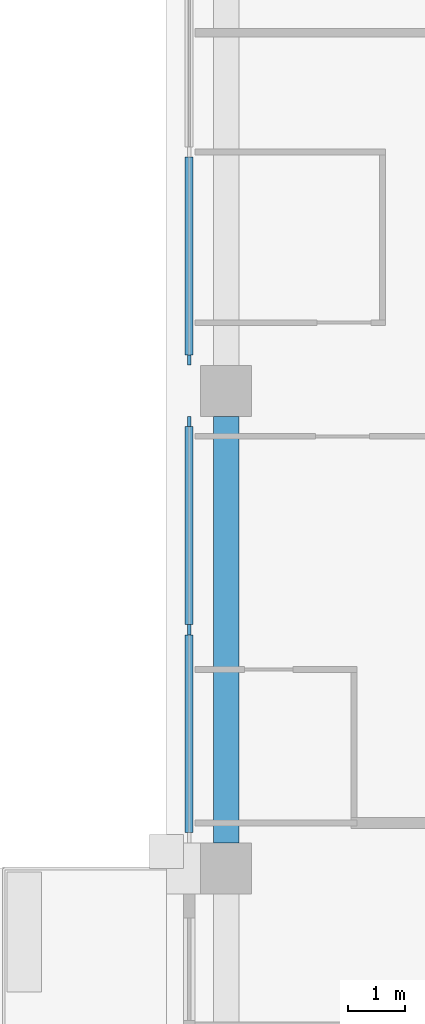
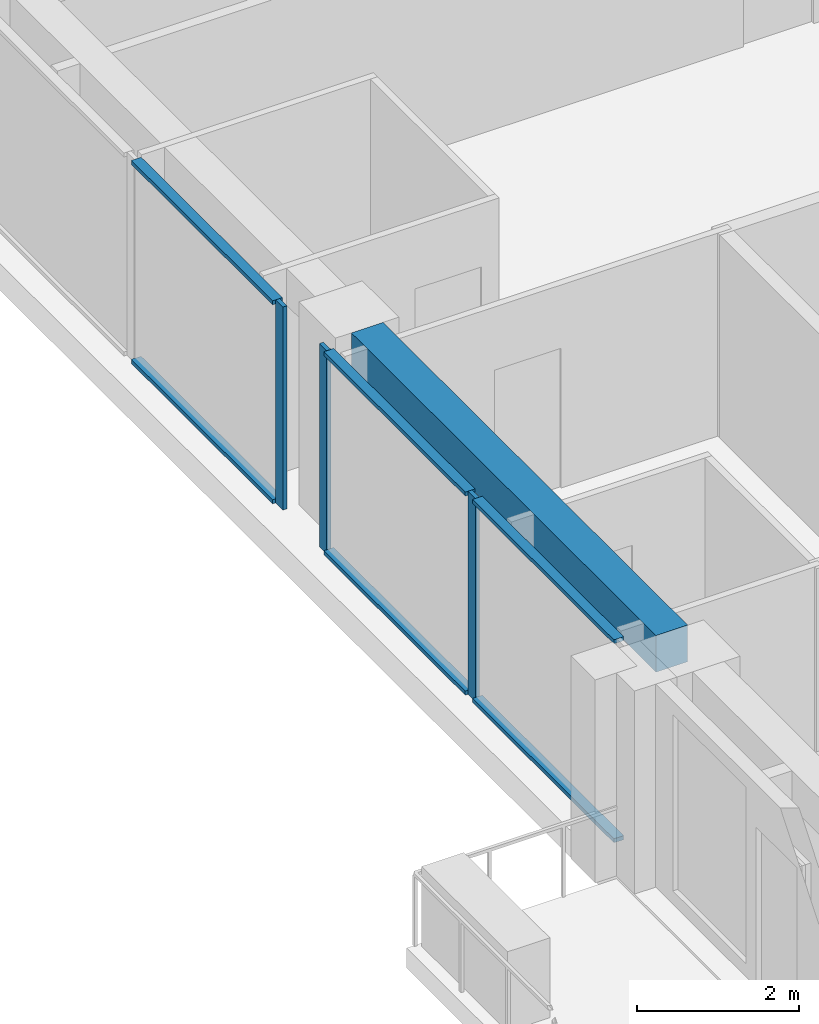
# One storey, part 3 of 19: 9 members, 1 beam, 2 elements without a shape of their own.
"""IFC4 building model written with IfcOpenShell, lengths in metres."""

from ifc_helpers import new_model, si_unit, direction, frame, origin, origin_2d, place, context, subcontext, project, spatial, rectangle, extrude, material, material_profile, profile_set, type_object, element, aggregate, save


model = new_model("IFC4")

# Units and contexts
model_context = context("Model", 3, precision=1e-05, world=origin(), true_north=direction((0.0, 1.0)))
body_context = subcontext(model_context, "Body", "Model", "MODEL_VIEW")
ifc_project = project(units=[si_unit("LENGTHUNIT", "METRE"), si_unit("AREAUNIT", "SQUARE_METRE"), si_unit("VOLUMEUNIT", "CUBIC_METRE"), si_unit("PLANEANGLEUNIT", "RADIAN"), si_unit("MASSUNIT", "GRAM", prefix="KILO")], contexts=[model_context])

# Site, building, storey
site_placement = place(None, origin())
site = spatial("IfcSite", under=ifc_project, at=site_placement, CompositionType="ELEMENT")
building_placement = place(site_placement, origin())
building = spatial("IfcBuilding", under=site, at=building_placement, Name="Vermilion Ogive Tower", CompositionType="ELEMENT")
storey_placement = place(building_placement, frame((0.0, 0.0, 226.89990234375)))
storey = spatial("IfcBuildingStorey", under=building, at=storey_placement, Name="L59", CompositionType="ELEMENT", Elevation=226.89990234375)

# Curtain wall, member
ifc_material_1 = material(Name="Low-iron laminated glazing in aluminium frame", Category="aluminium")
curtain_wall_type = type_object("IfcCurtainWallType", Name="Curtain wall CW7", PredefinedType="NOTDEFINED", material=ifc_material_1)
curtain_wall_1_placement = place(storey_placement, origin())
curtain_wall_1 = element("IfcCurtainWall", 1, at=curtain_wall_1_placement, inside=storey, type_object=curtain_wall_type, Name="Glazed skin W1", PredefinedType="NOTDEFINED")
ifc_material_2 = material(Name="Aluminium mullion", Category="aluminium")
ifc_material_profile_1 = material_profile(ifc_material_2, rectangle(XDim=0.06005859375, YDim=0.179931640625, at=origin_2d()), Name="AL 60x180")
ifc_profile_set_1 = profile_set([ifc_material_profile_1], Name="Aluminium mullion")
member_type_1 = type_object("IfcMemberType", Name="CW7 mullion 60x180", PredefinedType="MULLION", material=ifc_profile_set_1)
member_1_placement = place(storey_placement, frame((-25.85009765625, 4.739990234375, 0.0), z_axis=(0.0, 0.0, 1.0), x_axis=(1.0, 0.0, 0.0)))
member_1 = element("IfcMember", 2, at=member_1_placement, type_object=member_type_1, Name="CW7-W1 mullion 3", PredefinedType="MULLION", context=body_context, shape_type="SweptSolid", body=[
    extrude(rectangle(XDim=0.06005859375, YDim=0.179931640625, at=origin_2d()), origin(), (0.0, 0.0, 1.0), 3.050048828125),
])

# Curtain wall, members
curtain_wall_2_placement = place(storey_placement, origin())
curtain_wall_2 = element("IfcCurtainWall", 3, at=curtain_wall_2_placement, inside=storey, type_object=curtain_wall_type, Name="Glazed skin W2", PredefinedType="NOTDEFINED")
member_2_placement = place(storey_placement, frame((-25.85009765625, 3.659912109375, 0.0), z_axis=(0.0, 0.0, 1.0), x_axis=(1.0, 0.0, 0.0)))
member_2 = element("IfcMember", 4, at=member_2_placement, type_object=member_type_1, Name="CW7-W2 mullion 1", PredefinedType="MULLION", context=body_context, shape_type="SweptSolid", body=[
    extrude(rectangle(XDim=0.06005859375, YDim=0.179931640625, at=origin_2d()), origin(), (0.0, 0.0, 1.0), 3.050048828125),
])
member_3_placement = place(storey_placement, frame((-25.85009765625, 0.0, 0.0), z_axis=(0.0, 0.0, 1.0), x_axis=(1.0, 0.0, 0.0)))
member_3 = element("IfcMember", 5, at=member_3_placement, type_object=member_type_1, Name="CW7-W2 mullion 2", PredefinedType="MULLION", context=body_context, shape_type="SweptSolid", body=[
    extrude(rectangle(XDim=0.06005859375, YDim=0.179931640625, at=origin_2d()), origin(), (0.0, 0.0, 1.0), 3.050048828125),
])

# Member
ifc_material_3 = material(Name="Aluminium transom", Category="aluminium")
ifc_material_profile_2 = material_profile(ifc_material_3, rectangle(XDim=0.139892578125, YDim=0.06005859375, at=origin_2d()), Name="AL 60x140")
ifc_profile_set_2 = profile_set([ifc_material_profile_2], Name="Aluminium transom")
member_type_2 = type_object("IfcMemberType", Name="CW7 transom 60x140", PredefinedType="USERDEFINED", material=ifc_profile_set_2)
member_4_placement = place(storey_placement, frame((-25.85009765625, 8.31005859375, 0.030029296875), z_axis=(0.0, -1.0, 0.0), x_axis=(1.0, 0.0, 0.0)))
member_4 = element("IfcMember", 6, at=member_4_placement, type_object=member_type_2, Name="CW7-W1 transom 2.1", ObjectType="TRANSOM", PredefinedType="USERDEFINED", context=body_context, shape_type="SweptSolid", body=[
    extrude(rectangle(XDim=0.139892578125, YDim=0.06005859375, at=origin_2d()), origin(), (0.0, 0.0, 1.0), 3.47998046875),
])

member_5_placement = place(storey_placement, frame((-25.85009765625, 8.31005859375, 3.02001953125), z_axis=(0.0, -1.0, 0.0), x_axis=(1.0, 0.0, 0.0)))
member_5 = element("IfcMember", 7, at=member_5_placement, type_object=member_type_2, Name="CW7-W1 transom 2.2", ObjectType="TRANSOM", PredefinedType="USERDEFINED", context=body_context, shape_type="SweptSolid", body=[
    extrude(rectangle(XDim=0.139892578125, YDim=0.06005859375, at=origin_2d()), origin(), (0.0, 0.0, 1.0), 3.47998046875),
])

aggregate(curtain_wall_1, [member_1, member_4, member_5])

member_6_placement = place(storey_placement, frame((-25.85009765625, 3.570068359375, 0.030029296875), z_axis=(0.0, -1.0, 0.0), x_axis=(1.0, 0.0, 0.0)))
member_6 = element("IfcMember", 8, at=member_6_placement, type_object=member_type_2, Name="CW7-W2 transom 1.1", ObjectType="TRANSOM", PredefinedType="USERDEFINED", context=body_context, shape_type="SweptSolid", body=[
    extrude(rectangle(XDim=0.139892578125, YDim=0.06005859375, at=origin_2d()), origin(), (0.0, 0.0, 1.0), 3.47998046875),
])

member_7_placement = place(storey_placement, frame((-25.85009765625, 3.570068359375, 3.02001953125), z_axis=(0.0, -1.0, 0.0), x_axis=(1.0, 0.0, 0.0)))
member_7 = element("IfcMember", 9, at=member_7_placement, type_object=member_type_2, Name="CW7-W2 transom 1.2", ObjectType="TRANSOM", PredefinedType="USERDEFINED", context=body_context, shape_type="SweptSolid", body=[
    extrude(rectangle(XDim=0.139892578125, YDim=0.06005859375, at=origin_2d()), origin(), (0.0, 0.0, 1.0), 3.47998046875),
])

member_8_placement = place(storey_placement, frame((-25.85009765625, -0.090087890625, 0.030029296875), z_axis=(0.0, -1.0, 0.0), x_axis=(1.0, 0.0, 0.0)))
member_8 = element("IfcMember", 10, at=member_8_placement, type_object=member_type_2, Name="CW7-W2 transom 2.1", ObjectType="TRANSOM", PredefinedType="USERDEFINED", context=body_context, shape_type="SweptSolid", body=[
    extrude(rectangle(XDim=0.139892578125, YDim=0.06005859375, at=origin_2d()), origin(), (0.0, 0.0, 1.0), 3.47998046875),
])

member_9_placement = place(storey_placement, frame((-25.85009765625, -0.090087890625, 3.02001953125), z_axis=(0.0, -1.0, 0.0), x_axis=(1.0, 0.0, 0.0)))
member_9 = element("IfcMember", 11, at=member_9_placement, type_object=member_type_2, Name="CW7-W2 transom 2.2", ObjectType="TRANSOM", PredefinedType="USERDEFINED", context=body_context, shape_type="SweptSolid", body=[
    extrude(rectangle(XDim=0.139892578125, YDim=0.06005859375, at=origin_2d()), origin(), (0.0, 0.0, 1.0), 3.47998046875),
])

aggregate(curtain_wall_2, [member_2, member_3, member_6, member_7, member_8, member_9])

# Beam
ifc_material_4 = material(Name="Concrete B45", Category="concrete")
ifc_material_profile_3 = material_profile(ifc_material_4, rectangle(XDim=0.449951171875, YDim=0.550048828125, at=origin_2d()), Name="450 x 550")
ifc_profile_set_3 = profile_set([ifc_material_profile_3], Name="Concrete B45")
beam_type = type_object("IfcBeamType", Name="Edge beam 450 x 550 B45", PredefinedType="BEAM", material=ifc_profile_set_3)
beam_placement = place(storey_placement, frame((-25.199951171875, 3.75, 2.775146484375), z_axis=(0.0, -1.0, 0.0), x_axis=(1.0, 0.0, 0.0)))
element("IfcBeam", 12, at=beam_placement, inside=storey, type_object=beam_type, Name="L59-EB-15", PredefinedType="BEAM", context=body_context, shape_type="SweptSolid", body=[
    extrude(rectangle(XDim=0.449951171875, YDim=0.550048828125, at=origin_2d()), origin(), (0.0, 0.0, 1.0), 7.5),
])

save(model, "model.ifc")
